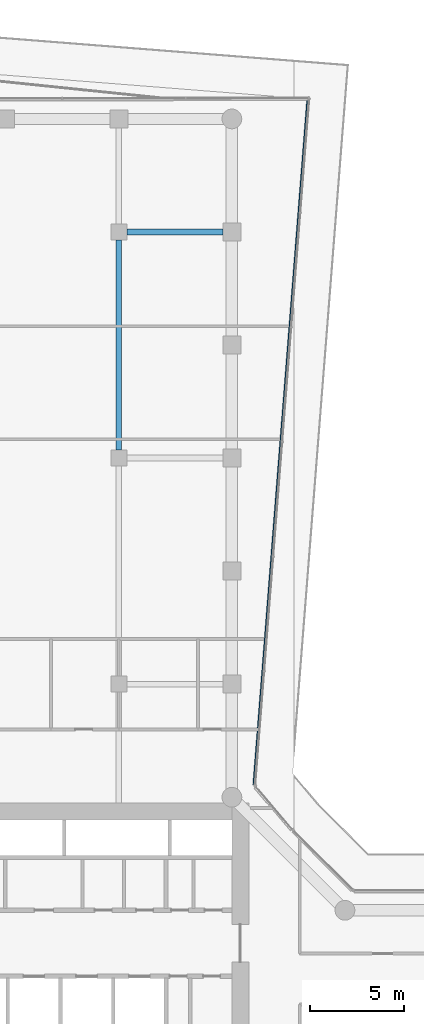
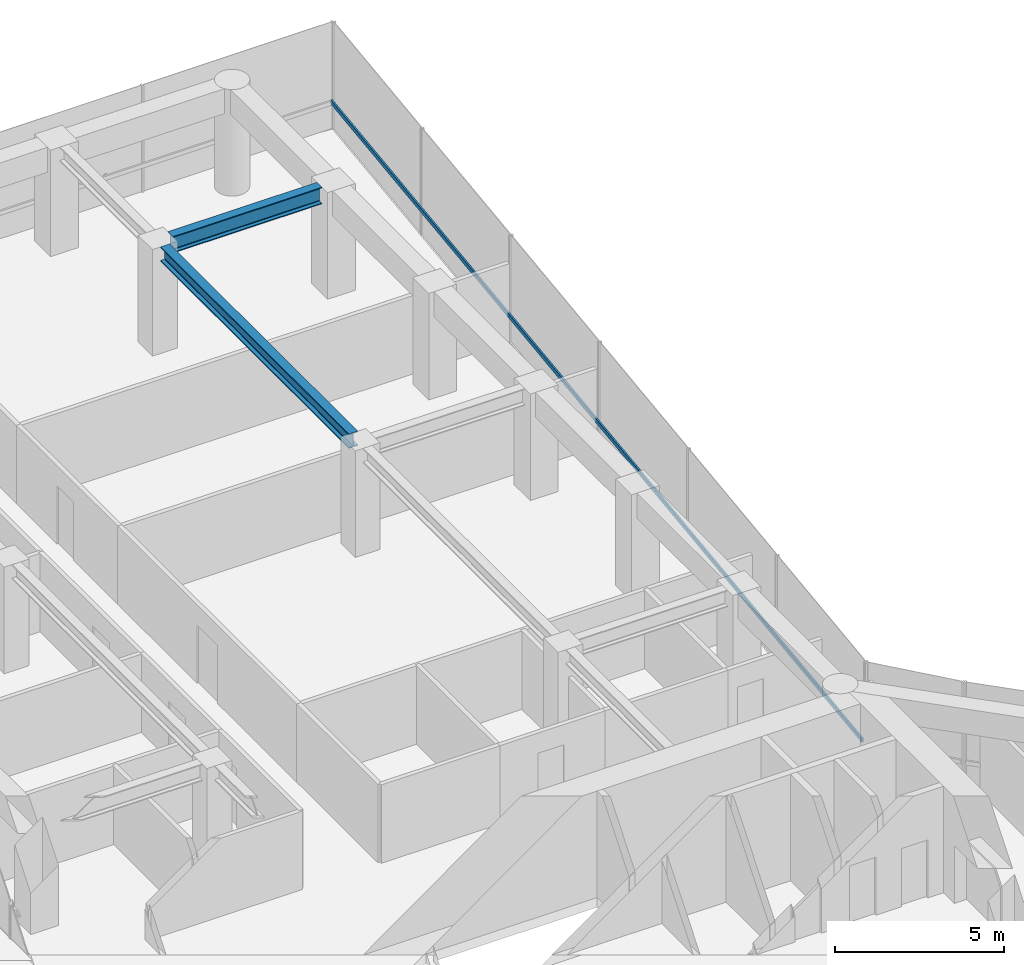
# One storey, part 18 of 29: 2 beams, 1 member, 1 element without a shape of its own.
"""IFC4 building model written with IfcOpenShell, lengths in metres."""

from ifc_helpers import new_model, si_unit, direction, frame, origin, origin_2d, place, context, subcontext, project, spatial, rectangle, i_section, extrude, material, layer, layer_set, material_profile, profile_set, type_object, element, aggregate, save


model = new_model("IFC4")

# Units and contexts
model_context = context("Model", 3, precision=1e-05, world=origin(), true_north=direction((0.0, 1.0)))
body_context = subcontext(model_context, "Body", "Model", "MODEL_VIEW")
ifc_project = project(units=[si_unit("LENGTHUNIT", "METRE"), si_unit("AREAUNIT", "SQUARE_METRE"), si_unit("VOLUMEUNIT", "CUBIC_METRE"), si_unit("PLANEANGLEUNIT", "RADIAN"), si_unit("MASSUNIT", "GRAM", prefix="KILO")], contexts=[model_context])

# Site, building, storey
site_placement = place(None, origin())
site = spatial("IfcSite", under=ifc_project, at=site_placement, CompositionType="ELEMENT")
building_placement = place(site_placement, origin())
building = spatial("IfcBuilding", under=site, at=building_placement, Name="Welwitschia Terrace Campus", CompositionType="ELEMENT")
storey_placement = place(building_placement, frame((0.0, 0.0, 33.199951171875)))
storey = spatial("IfcBuildingStorey", under=building, at=storey_placement, Name="L07", CompositionType="ELEMENT", Elevation=33.199951171875)

# Beams
ifc_material_1 = material(Name="Steel S355", Category="steel")
ifc_material_profile_1 = material_profile(ifc_material_1, i_section(OverallWidth=0.305908203125, OverallDepth=0.52392578125, WebThickness=0.02099609375, FlangeThickness=0.0400390625, FilletRadius=0.027099609375, at=origin_2d()))
ifc_profile_set_1 = profile_set([ifc_material_profile_1], Name="Steel S355")
beam_type_1 = type_object("IfcBeamType", Name="Interior girder HE 500 M", PredefinedType="BEAM", material=ifc_profile_set_1)
beam_1_placement = place(storey_placement, frame((18.0, 44.425537109375, 3.588134765625), z_axis=(0.0, 1.0, 0.0), x_axis=(-1.0, 0.0, 0.0)))
element("IfcBeam", 1, at=beam_1_placement, inside=storey, type_object=beam_type_1, Name="Girder GB2", PredefinedType="BEAM", context=body_context, shape_type="SweptSolid", body=[
    extrude(i_section(OverallWidth=0.305908203125, OverallDepth=0.52392578125, WebThickness=0.02099609375, FlangeThickness=0.0400390625, FilletRadius=0.027099609375, at=origin_2d()), origin(), (0.0, 0.0, 1.0), 11.14892578125),
])
ifc_material_2 = material(Name="Steel S355", Category="steel")
ifc_material_profile_2 = material_profile(ifc_material_2, i_section(OverallWidth=0.300048828125, OverallDepth=0.60009765625, WebThickness=0.015380859375, FlangeThickness=0.030029296875, FilletRadius=0.027099609375, at=origin_2d()))
ifc_profile_set_2 = profile_set([ifc_material_profile_2], Name="Steel S355")
beam_type_2 = type_object("IfcBeamType", Name="Primary beam HE 600 B", PredefinedType="BEAM", material=ifc_profile_set_2)
beam_2_placement = place(storey_placement, frame((23.5244140625, 56.0, 3.550048828125), z_axis=(-1.0, 0.0, 0.0), x_axis=(0.0, -1.0, 0.0)))
element("IfcBeam", 2, at=beam_2_placement, inside=storey, type_object=beam_type_2, Name="Primary beam PB2", PredefinedType="BEAM", context=body_context, shape_type="SweptSolid", body=[
    extrude(i_section(OverallWidth=0.300048828125, OverallDepth=0.60009765625, WebThickness=0.015380859375, FlangeThickness=0.030029296875, FilletRadius=0.027099609375, at=origin_2d()), origin(), (0.0, 0.0, 1.0), 5.098876953125),
])

# Curtain wall, member
ifc_material_3 = material(Name="Bronze anodised aluminium", Category="aluminium")
ifc_layer = layer(ifc_material_3, 0.1201171875)
ifc_layer_set = layer_set([ifc_layer], Name="Bronze anodised aluminium")
curtain_wall_type = type_object("IfcCurtainWallType", Name="Curtain wall CW2 tower 6000", PredefinedType="NOTDEFINED", material=ifc_layer_set)
curtain_wall_placement = place(storey_placement, origin())
curtain_wall = element("IfcCurtainWall", 3, at=curtain_wall_placement, inside=storey, type_object=curtain_wall_type, Name="CW L07.14.0", PredefinedType="NOTDEFINED")
ifc_material_4 = material(Name="Bronze anodised aluminium", Category="aluminium")
ifc_material_profile_3 = material_profile(ifc_material_4, rectangle(XDim=0.06005859375, YDim=0.14990234375, at=origin_2d()))
ifc_profile_set_3 = profile_set([ifc_material_profile_3], Name="Bronze anodised aluminium")
member_type = type_object("IfcMemberType", Name="Transom 60x150", PredefinedType="USERDEFINED", material=ifc_profile_set_3)
member_placement = place(storey_placement, frame((25.148681640625, 26.671875, 1.0), z_axis=(0.078460027806, 0.996917260377, 0.0), x_axis=(-0.996917260377, 0.078460027806, 0.0)))
member = element("IfcMember", 4, at=member_placement, type_object=member_type, Name="Transom L07.14.0", ObjectType="TRANSOM", PredefinedType="USERDEFINED", context=body_context, shape_type="SweptSolid", body=[
    extrude(rectangle(XDim=0.06005859375, YDim=0.14990234375, at=origin_2d()), origin(), (0.0, 0.0, 1.0), 36.499755859375),
])
aggregate(curtain_wall, [member])

save(model, "model.ifc")
